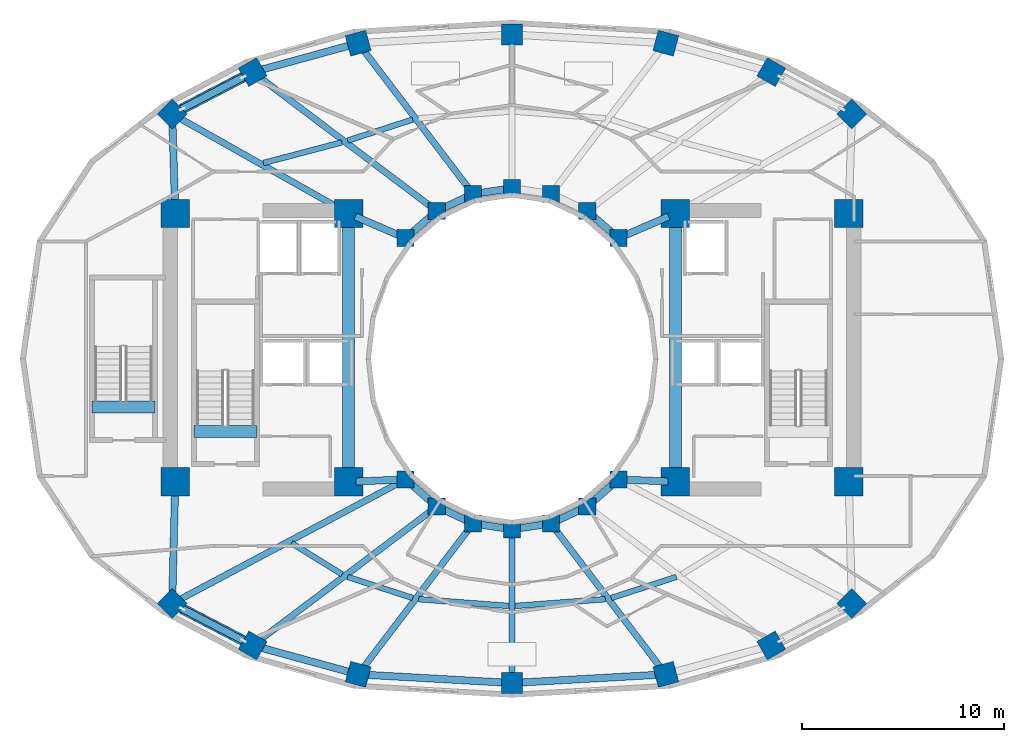
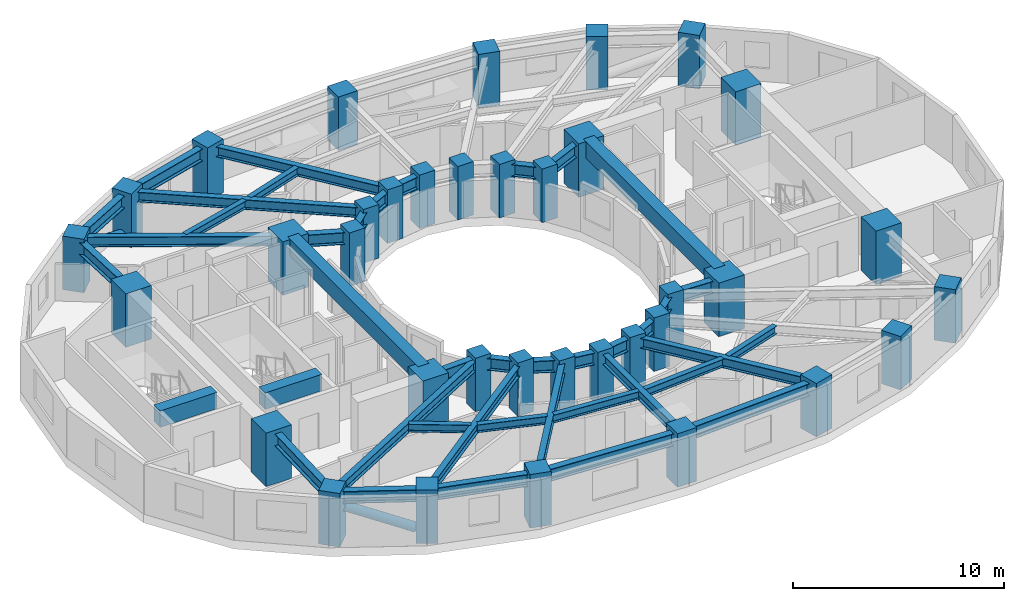
# One storey, part 1 of 9: 41 beams, 36 columns, 2 members.
"""IFC4 building model written with IfcOpenShell, lengths in metres."""

from ifc_helpers import new_model, si_unit, direction, frame, origin, origin_2d, place, context, subcontext, project, spatial, rectangle, hollow_circle, i_section, extrude, material, material_profile, profile_set, type_object, element, save


model = new_model("IFC4")

# Units and contexts
model_context = context("Model", 3, precision=1e-05, world=origin(), true_north=direction((0.0, 1.0)))
body_context = subcontext(model_context, "Body", "Model", "MODEL_VIEW")
ifc_project = project(units=[si_unit("LENGTHUNIT", "METRE"), si_unit("AREAUNIT", "SQUARE_METRE"), si_unit("VOLUMEUNIT", "CUBIC_METRE"), si_unit("PLANEANGLEUNIT", "RADIAN"), si_unit("MASSUNIT", "GRAM", prefix="KILO")], contexts=[model_context])

# Site, building, storey
site_placement = place(None, origin())
site = spatial("IfcSite", under=ifc_project, at=site_placement, CompositionType="ELEMENT")
building_placement = place(site_placement, origin())
building = spatial("IfcBuilding", under=site, at=building_placement, Name="Solvane Sanctuary Tower", CompositionType="ELEMENT")
storey_placement = place(building_placement, frame((0.0, 0.0, 122.800048828125)))
storey = spatial("IfcBuildingStorey", under=building, at=storey_placement, Name="L37", CompositionType="ELEMENT", Elevation=122.800048828125)

# Columns
ifc_material_1 = material(Name="Concrete C70/85", Category="concrete")
ifc_material_profile_1 = material_profile(ifc_material_1, rectangle(XDim=1.39990234375, YDim=1.39990234375, at=origin_2d()), Name="RC1400X1400")
ifc_profile_set_1 = profile_set([ifc_material_profile_1], Name="Concrete C70/85")
column_type_1 = type_object("IfcColumnType", Name="Column C-POD-INT RC1400X1400", PredefinedType="COLUMN", material=ifc_profile_set_1)
for number, where, z_axis, x_axis, name in (
    (1, (15.300048828125, 16.89990234375, 0.0), (0.0, 0.0, 1.0), (1.0, 0.0, 0.0), "L37 Core Corner Column CW1"),
    (2, (23.89990234375, 16.89990234375, 0.0), (0.0, 0.0, 1.0), (1.0, 0.0, 0.0), "L37 Core Corner Column CW2"),
    (3, (23.89990234375, 30.199951171875, 0.0), (0.0, 0.0, 1.0), (1.0, 0.0, 0.0), "L37 Core Corner Column CW3"),
    (4, (15.300048828125, 30.199951171875, 0.0), (0.0, 0.0, 1.0), (1.0, 0.0, 0.0), "L37 Core Corner Column CW4"),
    (5, (40.10009765625, 16.89990234375, 0.0), (0.0, 0.0, 1.0), (1.0, 0.0, 0.0), "L37 Core Corner Column CE1"),
    (6, (48.699951171875, 16.89990234375, 0.0), (0.0, 0.0, 1.0), (1.0, 0.0, 0.0), "L37 Core Corner Column CE2"),
    (7, (48.699951171875, 30.199951171875, 0.0), (0.0, 0.0, 1.0), (1.0, 0.0, 0.0), "L37 Core Corner Column CE3"),
    (8, (40.10009765625, 30.199951171875, 0.0), (0.0, 0.0, 1.0), (1.0, 0.0, 0.0), "L37 Core Corner Column CE4"),
):
    element("IfcColumn", number, at=place(storey_placement, frame(where, z_axis=z_axis, x_axis=x_axis)), inside=storey, type_object=column_type_1, Name=name, PredefinedType="COLUMN", context=body_context, shape_type="SweptSolid", body=[
        extrude(rectangle(XDim=1.39990234375, YDim=1.39990234375, at=origin_2d()), origin(), (0.0, 0.0, 1.0), 3.099853515625),
    ])
ifc_material_2 = material(Name="Concrete C60/75", Category="concrete")
ifc_material_profile_2 = material_profile(ifc_material_2, rectangle(XDim=0.85009765625, YDim=0.85009765625, at=origin_2d()), Name="RC850X850")
ifc_profile_set_2 = profile_set([ifc_material_profile_2], Name="Concrete C60/75")
column_type_2 = type_object("IfcColumnType", Name="Column C-RING-Z2 RC850X850", PredefinedType="COLUMN", material=ifc_profile_set_2)
for number, where, z_axis, x_axis, name in (
    (9, (37.27490234375, 28.982177734375, 0.0), (0.0, 0.0, 1.0), (1.0, 0.0, 0.0), "L37 Inner Light-Well Ring Column IC01"),
    (10, (35.72998046875, 30.32666015625, 0.0), (0.0, 0.0, 1.0), (1.0, 0.0, 0.0), "L37 Inner Light-Well Ring Column IC02"),
    (11, (33.930908203125, 31.171630859375, 0.0), (0.0, 0.0, 1.0), (1.0, 0.0, 0.0), "L37 Inner Light-Well Ring Column IC03"),
    (12, (32.0, 31.4599609375, 0.0), (0.0, 0.0, 1.0), (1.0, 0.0, 0.0), "L37 Inner Light-Well Ring Column IC04"),
    (13, (30.069091796875, 31.171630859375, 0.0), (0.0, 0.0, 1.0), (1.0, 0.0, 0.0), "L37 Inner Light-Well Ring Column IC05"),
    (14, (28.27001953125, 30.32666015625, 0.0), (0.0, 0.0, 1.0), (1.0, 0.0, 0.0), "L37 Inner Light-Well Ring Column IC06"),
    (15, (26.72509765625, 28.982177734375, 0.0), (0.0, 0.0, 1.0), (1.0, 0.0, 0.0), "L37 Inner Light-Well Ring Column IC07"),
    (16, (26.72509765625, 17.017822265625, 0.0), (0.0, 0.0, 1.0), (1.0, 0.0, 0.0), "L37 Inner Light-Well Ring Column IC08"),
    (17, (28.27001953125, 15.67333984375, 0.0), (0.0, 0.0, 1.0), (1.0, 0.0, 0.0), "L37 Inner Light-Well Ring Column IC09"),
    (18, (30.069091796875, 14.828369140625, 0.0), (0.0, 0.0, 1.0), (1.0, 0.0, 0.0), "L37 Inner Light-Well Ring Column IC10"),
    (19, (32.0, 14.5400390625, 0.0), (0.0, 0.0, 1.0), (1.0, 0.0, 0.0), "L37 Inner Light-Well Ring Column IC11"),
    (20, (33.930908203125, 14.828369140625, 0.0), (0.0, 0.0, 1.0), (1.0, 0.0, 0.0), "L37 Inner Light-Well Ring Column IC12"),
    (21, (35.72998046875, 15.67333984375, 0.0), (0.0, 0.0, 1.0), (1.0, 0.0, 0.0), "L37 Inner Light-Well Ring Column IC13"),
    (22, (37.27490234375, 17.017822265625, 0.0), (0.0, 0.0, 1.0), (1.0, 0.0, 0.0), "L37 Inner Light-Well Ring Column IC14"),
):
    element("IfcColumn", number, at=place(storey_placement, frame(where, z_axis=z_axis, x_axis=x_axis)), inside=storey, type_object=column_type_2, Name=name, PredefinedType="COLUMN", context=body_context, shape_type="SweptSolid", body=[
        extrude(rectangle(XDim=0.85009765625, YDim=0.85009765625, at=origin_2d()), origin(), (0.0, 0.0, 1.0), 3.099853515625),
    ])
ifc_material_profile_3 = material_profile(ifc_material_2, rectangle(XDim=1.050048828125, YDim=1.050048828125, at=origin_2d()), Name="RC1050X1050")
ifc_profile_set_3 = profile_set([ifc_material_profile_3], Name="Concrete C60/75")
column_type_3 = type_object("IfcColumnType", Name="Column C-TUBE-Z2 RC1050X1050", PredefinedType="COLUMN", material=ifc_profile_set_3)
for number, where, z_axis, x_axis, name in (
    (23, (48.85302734375, 35.13818359375, 0.0), (0.0, 0.0, 1.0), (0.707106781187, 0.707106781187, 0.0), "L37 Perimeter Tube Column TC01"),
    (24, (44.8583984375, 37.217529296875, 0.0), (0.0, 0.0, 1.0), (0.5, 0.866025403784, 0.0), "L37 Perimeter Tube Column TC02"),
    (25, (39.62939453125, 38.652099609375, 0.0), (0.0, 0.0, 1.0), (0.258819045103, 0.965925826289, 0.0), "L37 Perimeter Tube Column TC03"),
    (26, (32.0, 39.080078125, 0.0), (0.0, 0.0, 1.0), (0.0, 1.0, 0.0), "L37 Perimeter Tube Column TC04"),
    (27, (24.37060546875, 38.652099609375, 0.0), (0.0, 0.0, 1.0), (-0.258819045103, 0.965925826289, 0.0), "L37 Perimeter Tube Column TC05"),
    (28, (19.1416015625, 37.217529296875, 0.0), (0.0, 0.0, 1.0), (-0.5, 0.866025403784, 0.0), "L37 Perimeter Tube Column TC06"),
    (29, (15.14697265625, 35.13818359375, 0.0), (0.0, 0.0, 1.0), (-0.707106781187, 0.707106781187, 0.0), "L37 Perimeter Tube Column TC07"),
    (30, (15.14697265625, 10.86181640625, 0.0), (0.0, 0.0, 1.0), (-0.707106781187, -0.707106781187, 0.0), "L37 Perimeter Tube Column TC08"),
    (31, (19.1416015625, 8.782470703125, 0.0), (0.0, 0.0, 1.0), (-0.5, -0.866025403784, 0.0), "L37 Perimeter Tube Column TC09"),
    (32, (24.37060546875, 7.347900390625, 0.0), (0.0, 0.0, 1.0), (-0.258819045103, -0.965925826289, 0.0), "L37 Perimeter Tube Column TC10"),
    (33, (32.0, 6.919921875, 0.0), (0.0, 0.0, 1.0), (0.0, -1.0, 0.0), "L37 Perimeter Tube Column TC11"),
    (34, (39.62939453125, 7.347900390625, 0.0), (0.0, 0.0, 1.0), (0.258819045103, -0.965925826289, 0.0), "L37 Perimeter Tube Column TC12"),
    (35, (44.8583984375, 8.782470703125, 0.0), (0.0, 0.0, 1.0), (0.5, -0.866025403784, 0.0), "L37 Perimeter Tube Column TC13"),
    (36, (48.85302734375, 10.86181640625, 0.0), (0.0, 0.0, 1.0), (0.707106781187, -0.707106781187, 0.0), "L37 Perimeter Tube Column TC14"),
):
    element("IfcColumn", number, at=place(storey_placement, frame(where, z_axis=z_axis, x_axis=x_axis)), inside=storey, type_object=column_type_3, Name=name, PredefinedType="COLUMN", context=body_context, shape_type="SweptSolid", body=[
        extrude(rectangle(XDim=1.050048828125, YDim=1.050048828125, at=origin_2d()), origin(), (0.0, 0.0, 1.0), 3.099853515625),
    ])

# Beams
ifc_material_profile_4 = material_profile(ifc_material_1, rectangle(XDim=0.60009765625, YDim=0.949951171875, at=origin_2d()), Name="RC600X950")
ifc_profile_set_4 = profile_set([ifc_material_profile_4], Name="Concrete C70/85")
beam_type_1 = type_object("IfcBeamType", Name="Beam B-COUPLE RC600X950", PredefinedType="LINTEL", material=ifc_profile_set_4)
for number, where, z_axis, x_axis, name in (
    (37, (23.89990234375, 17.35009765625, 2.625), (0.0, 1.0, 0.0), (-1.0, 0.0, 0.0), "L37 West Core Coupling Lintel"),
    (38, (40.10009765625, 17.35009765625, 2.625), (0.0, 1.0, 0.0), (-1.0, 0.0, 0.0), "L37 East Core Coupling Lintel"),
):
    element("IfcBeam", number, at=place(storey_placement, frame(where, z_axis=z_axis, x_axis=x_axis)), inside=storey, type_object=beam_type_1, Name=name, PredefinedType="LINTEL", context=body_context, shape_type="SweptSolid", body=[
        extrude(rectangle(XDim=0.60009765625, YDim=0.949951171875, at=origin_2d()), origin(), (0.0, 0.0, 1.0), 12.39990234375),
    ])
for number, where, z_axis, x_axis, name in (
    (39, (16.22998046875, 19.399169921875, 2.625), (1.0, 0.0, 0.0), (0.0, 1.0, 0.0), "L37 ST-1 Stair Floor Landing Trimmer"),
    (40, (11.169921875, 20.59912109375, 2.625), (1.0, 0.0, 0.0), (0.0, 1.0, 0.0), "L37 ST-3 Stair Floor Landing Trimmer"),
):
    element("IfcBeam", number, at=place(storey_placement, frame(where, z_axis=z_axis, x_axis=x_axis)), inside=storey, type_object=beam_type_1, Name=name, PredefinedType="LINTEL", context=body_context, shape_type="SweptSolid", body=[
        extrude(rectangle(XDim=0.60009765625, YDim=0.949951171875, at=origin_2d()), origin(), (0.0, 0.0, 1.0), 3.1201171875),
    ])
ifc_material_3 = material(Name="Steel ASTM A992 Grade 50", Category="steel")
ifc_material_profile_5 = material_profile(ifc_material_3, i_section(OverallWidth=0.31494140625, OverallDepth=0.575927734375, WebThickness=0.01513671875, FlangeThickness=0.0244140625, FilletRadius=0.014892578125, at=origin_2d()), Name="W21X122")
ifc_profile_set_5 = profile_set([ifc_material_profile_5], Name="Steel ASTM A992 Grade 50")
beam_type_2 = type_object("IfcBeamType", Name="Beam B-RAD-Z2 W21X122", PredefinedType="BEAM", material=ifc_profile_set_5)
beam_1_placement = place(storey_placement, frame((29.8994140625, 31.394287109375, 2.58984375), z_axis=(-0.605972515369, 0.795485581653, 0.0), x_axis=(-0.795485581653, -0.605972515369, 0.0)))
element("IfcBeam", 41, at=beam_1_placement, inside=storey, type_object=beam_type_2, Name="L37 Radial Composite Floor Beam 05", PredefinedType="BEAM", context=body_context, shape_type="SweptSolid", body=[
    extrude(i_section(OverallWidth=0.31494140625, OverallDepth=0.575927734375, WebThickness=0.01513671875, FlangeThickness=0.0244140625, FilletRadius=0.014892578125, at=origin_2d()), origin(), (0.0, 0.0, 1.0), 8.84375),
])
beam_2_placement = place(storey_placement, frame((28.04638671875, 30.495361328125, 2.58984375), z_axis=(-0.798116040134, 0.602503764703, 0.0), x_axis=(-0.602503764703, -0.798116040134, 0.0)))
element("IfcBeam", 42, at=beam_2_placement, inside=storey, type_object=beam_type_2, Name="L37 Radial Composite Floor Beam 06", PredefinedType="BEAM", context=body_context, shape_type="SweptSolid", body=[
    extrude(i_section(OverallWidth=0.31494140625, OverallDepth=0.575927734375, WebThickness=0.01513671875, FlangeThickness=0.0244140625, FilletRadius=0.014892578125, at=origin_2d()), origin(), (0.0, 0.0, 1.0), 10.876953125),
])
beam_3_placement = place(storey_placement, frame((23.58642578125, 30.376953125, 2.58984375), z_axis=(-0.870960247151, 0.491353485673, 0.0), x_axis=(-0.491353485673, -0.870960247151, 0.0)))
element("IfcBeam", 43, at=beam_3_placement, inside=storey, type_object=beam_type_2, Name="L37 Radial Composite Floor Beam 07", PredefinedType="BEAM", context=body_context, shape_type="SweptSolid", body=[
    extrude(i_section(OverallWidth=0.31494140625, OverallDepth=0.575927734375, WebThickness=0.01513671875, FlangeThickness=0.0244140625, FilletRadius=0.014892578125, at=origin_2d()), origin(), (0.0, 0.0, 1.0), 9.409912109375),
])
beam_4_placement = place(storey_placement, frame((26.477783203125, 16.886474609375, 2.58984375), z_axis=(-0.882951984843, -0.469463302572, 0.0), x_axis=(0.469463302572, -0.882951984843, 0.0)))
element("IfcBeam", 44, at=beam_4_placement, inside=storey, type_object=beam_type_2, Name="L37 Radial Composite Floor Beam 08", PredefinedType="BEAM", context=body_context, shape_type="SweptSolid", body=[
    extrude(i_section(OverallWidth=0.31494140625, OverallDepth=0.575927734375, WebThickness=0.01513671875, FlangeThickness=0.0244140625, FilletRadius=0.014892578125, at=origin_2d()), origin(), (0.0, 0.0, 1.0), 12.552734375),
])
beam_5_placement = place(storey_placement, frame((28.04638671875, 15.504638671875, 2.58984375), z_axis=(-0.798116040134, -0.602503764703, 0.0), x_axis=(0.602503764703, -0.798116040134, 0.0)))
element("IfcBeam", 45, at=beam_5_placement, inside=storey, type_object=beam_type_2, Name="L37 Radial Composite Floor Beam 09", PredefinedType="BEAM", context=body_context, shape_type="SweptSolid", body=[
    extrude(i_section(OverallWidth=0.31494140625, OverallDepth=0.575927734375, WebThickness=0.01513671875, FlangeThickness=0.0244140625, FilletRadius=0.014892578125, at=origin_2d()), origin(), (0.0, 0.0, 1.0), 10.876953125),
])
beam_6_placement = place(storey_placement, frame((29.8994140625, 14.605712890625, 2.58984375), z_axis=(-0.605972515369, -0.795485581653, 0.0), x_axis=(0.795485581653, -0.605972515369, 0.0)))
element("IfcBeam", 46, at=beam_6_placement, inside=storey, type_object=beam_type_2, Name="L37 Radial Composite Floor Beam 10", PredefinedType="BEAM", context=body_context, shape_type="SweptSolid", body=[
    extrude(i_section(OverallWidth=0.31494140625, OverallDepth=0.575927734375, WebThickness=0.01513671875, FlangeThickness=0.0244140625, FilletRadius=0.014892578125, at=origin_2d()), origin(), (0.0, 0.0, 1.0), 8.84375),
])
beam_7_placement = place(storey_placement, frame((32.0, 14.260009765625, 2.58984375), z_axis=(0.0, -1.0, 0.0), x_axis=(1.0, 0.0, 0.0)))
element("IfcBeam", 47, at=beam_7_placement, inside=storey, type_object=beam_type_2, Name="L37 Radial Composite Floor Beam 11", PredefinedType="BEAM", context=body_context, shape_type="SweptSolid", body=[
    extrude(i_section(OverallWidth=0.31494140625, OverallDepth=0.575927734375, WebThickness=0.01513671875, FlangeThickness=0.0244140625, FilletRadius=0.014892578125, at=origin_2d()), origin(), (0.0, 0.0, 1.0), 7.06005859375),
])
beam_8_placement = place(storey_placement, frame((34.1005859375, 14.605712890625, 2.58984375), z_axis=(0.605972515369, -0.795485581653, 0.0), x_axis=(0.795485581653, 0.605972515369, 0.0)))
element("IfcBeam", 48, at=beam_8_placement, inside=storey, type_object=beam_type_2, Name="L37 Radial Composite Floor Beam 12", PredefinedType="BEAM", context=body_context, shape_type="SweptSolid", body=[
    extrude(i_section(OverallWidth=0.31494140625, OverallDepth=0.575927734375, WebThickness=0.01513671875, FlangeThickness=0.0244140625, FilletRadius=0.014892578125, at=origin_2d()), origin(), (0.0, 0.0, 1.0), 8.84375),
])
ifc_material_profile_6 = material_profile(ifc_material_3, i_section(OverallWidth=0.35498046875, OverallDepth=0.695068359375, WebThickness=0.015380859375, FlangeThickness=0.02490234375, FilletRadius=0.01806640625, at=origin_2d()), Name="W27X146")
ifc_profile_set_6 = profile_set([ifc_material_profile_6], Name="Steel ASTM A992 Grade 50")
beam_type_3 = type_object("IfcBeamType", Name="Beam B-RING-IN1 W27X146", PredefinedType="BEAM", material=ifc_profile_set_6)
beam_9_placement = place(storey_placement, frame((24.230712890625, 30.0576171875, 2.530517578125), z_axis=(0.918261456479, -0.3959746173, 0.0), x_axis=(0.3959746173, 0.918261456479, 0.0)))
element("IfcBeam", 49, at=beam_9_placement, inside=storey, type_object=beam_type_3, Name="L37 Inner Light-Well Ring Beam CW3-IC07", PredefinedType="BEAM", context=body_context, shape_type="SweptSolid", body=[
    extrude(i_section(OverallWidth=0.35498046875, OverallDepth=0.695068359375, WebThickness=0.015380859375, FlangeThickness=0.02490234375, FilletRadius=0.01806640625, at=origin_2d()), origin(), (0.0, 0.0, 1.0), 2.3212890625),
])
beam_10_placement = place(storey_placement, frame((27.02294921875, 29.241455078125, 2.530517578125), z_axis=(0.754317177099, 0.656510164684, 0.0), x_axis=(-0.656510164684, 0.754317177099, 0.0)))
element("IfcBeam", 50, at=beam_10_placement, inside=storey, type_object=beam_type_3, Name="L37 Inner Light-Well Ring Beam IC07-IC06", PredefinedType="BEAM", context=body_context, shape_type="SweptSolid", body=[
    extrude(i_section(OverallWidth=0.35498046875, OverallDepth=0.695068359375, WebThickness=0.015380859375, FlangeThickness=0.02490234375, FilletRadius=0.01806640625, at=origin_2d()), origin(), (0.0, 0.0, 1.0), 1.258056640625),
])
beam_11_placement = place(storey_placement, frame((28.62744140625, 30.494384765625, 2.530517578125), z_axis=(0.905044882818, 0.425316070804, 0.0), x_axis=(-0.425316070804, 0.905044882818, 0.0)))
element("IfcBeam", 51, at=beam_11_placement, inside=storey, type_object=beam_type_3, Name="L37 Inner Light-Well Ring Beam IC06-IC05", PredefinedType="BEAM", context=body_context, shape_type="SweptSolid", body=[
    extrude(i_section(OverallWidth=0.35498046875, OverallDepth=0.695068359375, WebThickness=0.015380859375, FlangeThickness=0.02490234375, FilletRadius=0.01806640625, at=origin_2d()), origin(), (0.0, 0.0, 1.0), 1.197998046875),
])
beam_12_placement = place(storey_placement, frame((30.4599609375, 31.22998046875, 2.530517578125), z_axis=(0.989034751611, 0.147682971619, 0.0), x_axis=(-0.147682971619, 0.989034751611, 0.0)))
element("IfcBeam", 52, at=beam_12_placement, inside=storey, type_object=beam_type_3, Name="L37 Inner Light-Well Ring Beam IC05-IC04", PredefinedType="BEAM", context=body_context, shape_type="SweptSolid", body=[
    extrude(i_section(OverallWidth=0.35498046875, OverallDepth=0.695068359375, WebThickness=0.015380859375, FlangeThickness=0.02490234375, FilletRadius=0.01806640625, at=origin_2d()), origin(), (0.0, 0.0, 1.0), 1.162109375),
])
beam_13_placement = place(storey_placement, frame((36.028076171875, 30.0673828125, 2.530517578125), z_axis=(0.754317177099, -0.656510164684, 0.0), x_axis=(0.656510164684, 0.754317177099, 0.0)))
element("IfcBeam", 53, at=beam_13_placement, inside=storey, type_object=beam_type_3, Name="L37 Inner Light-Well Ring Beam IC02-IC01", PredefinedType="BEAM", context=body_context, shape_type="SweptSolid", body=[
    extrude(i_section(OverallWidth=0.35498046875, OverallDepth=0.695068359375, WebThickness=0.015380859375, FlangeThickness=0.02490234375, FilletRadius=0.01806640625, at=origin_2d()), origin(), (0.0, 0.0, 1.0), 1.258056640625),
])
beam_14_placement = place(storey_placement, frame((37.6376953125, 29.138427734375, 2.530517578125), z_axis=(0.918261456479, 0.3959746173, 0.0), x_axis=(-0.3959746173, 0.918261456479, 0.0)))
element("IfcBeam", 54, at=beam_14_placement, inside=storey, type_object=beam_type_3, Name="L37 Inner Light-Well Ring Beam IC01-CE4", PredefinedType="BEAM", context=body_context, shape_type="SweptSolid", body=[
    extrude(i_section(OverallWidth=0.35498046875, OverallDepth=0.695068359375, WebThickness=0.015380859375, FlangeThickness=0.02490234375, FilletRadius=0.01806640625, at=origin_2d()), origin(), (0.0, 0.0, 1.0), 2.3212890625),
])
beam_15_placement = place(storey_placement, frame((24.259765625, 16.9150390625, 2.530517578125), z_axis=(0.999130007788, 0.041704047018, 0.0), x_axis=(-0.041704047018, 0.999130007788, 0.0)))
element("IfcBeam", 55, at=beam_15_placement, inside=storey, type_object=beam_type_3, Name="L37 Inner Light-Well Ring Beam CW2-IC08", PredefinedType="BEAM", context=body_context, shape_type="SweptSolid", body=[
    extrude(i_section(OverallWidth=0.35498046875, OverallDepth=0.695068359375, WebThickness=0.015380859375, FlangeThickness=0.02490234375, FilletRadius=0.01806640625, at=origin_2d()), origin(), (0.0, 0.0, 1.0), 2.072265625),
])
beam_16_placement = place(storey_placement, frame((27.02294921875, 16.758544921875, 2.530517578125), z_axis=(0.754317177099, -0.656510164684, 0.0), x_axis=(0.656510164684, 0.754317177099, 0.0)))
element("IfcBeam", 56, at=beam_16_placement, inside=storey, type_object=beam_type_3, Name="L37 Inner Light-Well Ring Beam IC08-IC09", PredefinedType="BEAM", context=body_context, shape_type="SweptSolid", body=[
    extrude(i_section(OverallWidth=0.35498046875, OverallDepth=0.695068359375, WebThickness=0.015380859375, FlangeThickness=0.02490234375, FilletRadius=0.01806640625, at=origin_2d()), origin(), (0.0, 0.0, 1.0), 1.258056640625),
])
beam_17_placement = place(storey_placement, frame((28.62744140625, 15.505615234375, 2.530517578125), z_axis=(0.905044882818, -0.425316070804, 0.0), x_axis=(0.425316070804, 0.905044882818, 0.0)))
element("IfcBeam", 57, at=beam_17_placement, inside=storey, type_object=beam_type_3, Name="L37 Inner Light-Well Ring Beam IC09-IC10", PredefinedType="BEAM", context=body_context, shape_type="SweptSolid", body=[
    extrude(i_section(OverallWidth=0.35498046875, OverallDepth=0.695068359375, WebThickness=0.015380859375, FlangeThickness=0.02490234375, FilletRadius=0.01806640625, at=origin_2d()), origin(), (0.0, 0.0, 1.0), 1.197998046875),
])
for number, where, z_axis, x_axis, name in (
    (58, (30.4599609375, 14.77001953125, 2.530517578125), (0.989034751611, -0.147682971619, 0.0), (0.147682971619, 0.989034751611, 0.0), "L37 Inner Light-Well Ring Beam IC10-IC11"),
    (59, (32.390625, 14.598388671875, 2.530517578125), (0.989034751611, 0.147682971619, 0.0), (-0.147682971619, 0.989034751611, 0.0), "L37 Inner Light-Well Ring Beam IC11-IC12"),
):
    element("IfcBeam", number, at=place(storey_placement, frame(where, z_axis=z_axis, x_axis=x_axis)), inside=storey, type_object=beam_type_3, Name=name, PredefinedType="BEAM", context=body_context, shape_type="SweptSolid", body=[
        extrude(i_section(OverallWidth=0.35498046875, OverallDepth=0.695068359375, WebThickness=0.015380859375, FlangeThickness=0.02490234375, FilletRadius=0.01806640625, at=origin_2d()), origin(), (0.0, 0.0, 1.0), 1.162109375),
    ])
beam_18_placement = place(storey_placement, frame((34.288330078125, 14.99609375, 2.530517578125), z_axis=(0.905044882818, 0.425316070804, 0.0), x_axis=(-0.425316070804, 0.905044882818, 0.0)))
element("IfcBeam", 60, at=beam_18_placement, inside=storey, type_object=beam_type_3, Name="L37 Inner Light-Well Ring Beam IC12-IC13", PredefinedType="BEAM", context=body_context, shape_type="SweptSolid", body=[
    extrude(i_section(OverallWidth=0.35498046875, OverallDepth=0.695068359375, WebThickness=0.015380859375, FlangeThickness=0.02490234375, FilletRadius=0.01806640625, at=origin_2d()), origin(), (0.0, 0.0, 1.0), 1.197998046875),
])
beam_19_placement = place(storey_placement, frame((36.028076171875, 15.9326171875, 2.530517578125), z_axis=(0.754317177099, 0.656510164684, 0.0), x_axis=(-0.656510164684, 0.754317177099, 0.0)))
element("IfcBeam", 61, at=beam_19_placement, inside=storey, type_object=beam_type_3, Name="L37 Inner Light-Well Ring Beam IC13-IC14", PredefinedType="BEAM", context=body_context, shape_type="SweptSolid", body=[
    extrude(i_section(OverallWidth=0.35498046875, OverallDepth=0.695068359375, WebThickness=0.015380859375, FlangeThickness=0.02490234375, FilletRadius=0.01806640625, at=origin_2d()), origin(), (0.0, 0.0, 1.0), 1.258056640625),
])
beam_20_placement = place(storey_placement, frame((37.669677734375, 17.00146484375, 2.530517578125), z_axis=(0.999130007788, -0.041704047018, 0.0), x_axis=(0.041704047018, 0.999130007788, 0.0)))
element("IfcBeam", 62, at=beam_20_placement, inside=storey, type_object=beam_type_3, Name="L37 Inner Light-Well Ring Beam IC14-CE1", PredefinedType="BEAM", context=body_context, shape_type="SweptSolid", body=[
    extrude(i_section(OverallWidth=0.35498046875, OverallDepth=0.695068359375, WebThickness=0.015380859375, FlangeThickness=0.02490234375, FilletRadius=0.01806640625, at=origin_2d()), origin(), (0.0, 0.0, 1.0), 2.072265625),
])
ifc_material_profile_7 = material_profile(ifc_material_3, i_section(OverallWidth=0.280029296875, OverallDepth=0.462890625, WebThickness=0.0107421875, FlangeThickness=0.017333984375, FilletRadius=0.013916015625, at=origin_2d()), Name="W18X76")
ifc_profile_set_7 = profile_set([ifc_material_profile_7], Name="Steel ASTM A992 Grade 50")
beam_type_4 = type_object("IfcBeamType", Name="Beam B-SEC-JOIST W18X76", PredefinedType="JOIST", material=ifc_profile_set_7)
beam_21_placement = place(storey_placement, frame((19.6708984375, 32.7080078125, 2.646484375), z_axis=(0.966943832831, 0.2549894589, 0.0), x_axis=(-0.2549894589, 0.966943832831, 0.0)))
element("IfcBeam", 63, at=beam_21_placement, inside=storey, type_object=beam_type_4, Name="L37 Secondary Circumferential Joist 07-06", PredefinedType="JOIST", context=body_context, shape_type="SweptSolid", body=[
    extrude(i_section(OverallWidth=0.280029296875, OverallDepth=0.462890625, WebThickness=0.0107421875, FlangeThickness=0.017333984375, FilletRadius=0.013916015625, at=origin_2d()), origin(), (0.0, 0.0, 1.0), 4.020263671875),
])
beam_22_placement = place(storey_placement, frame((23.850830078125, 33.819091796875, 2.646484375), z_axis=(0.951216534175, 0.308524075416, 0.0), x_axis=(-0.308524075416, 0.951216534175, 0.0)))
element("IfcBeam", 64, at=beam_22_placement, inside=storey, type_object=beam_type_4, Name="L37 Secondary Circumferential Joist 06-05", PredefinedType="JOIST", context=body_context, shape_type="SweptSolid", body=[
    extrude(i_section(OverallWidth=0.280029296875, OverallDepth=0.462890625, WebThickness=0.0107421875, FlangeThickness=0.017333984375, FilletRadius=0.013916015625, at=origin_2d()), origin(), (0.0, 0.0, 1.0), 3.38916015625),
])
beam_23_placement = place(storey_placement, frame((21.065673828125, 13.859619140625, 2.646484375), z_axis=(0.85065981691, -0.525716535687, 0.0), x_axis=(0.525716535687, 0.85065981691, 0.0)))
element("IfcBeam", 65, at=beam_23_placement, inside=storey, type_object=beam_type_4, Name="L37 Secondary Circumferential Joist 08-09", PredefinedType="JOIST", context=body_context, shape_type="SweptSolid", body=[
    extrude(i_section(OverallWidth=0.280029296875, OverallDepth=0.462890625, WebThickness=0.0107421875, FlangeThickness=0.017333984375, FilletRadius=0.013916015625, at=origin_2d()), origin(), (0.0, 0.0, 1.0), 2.951171875),
])
beam_24_placement = place(storey_placement, frame((23.850830078125, 12.180908203125, 2.646484375), z_axis=(0.951216534175, -0.308524075416, 0.0), x_axis=(0.308524075416, 0.951216534175, 0.0)))
element("IfcBeam", 66, at=beam_24_placement, inside=storey, type_object=beam_type_4, Name="L37 Secondary Circumferential Joist 09-10", PredefinedType="JOIST", context=body_context, shape_type="SweptSolid", body=[
    extrude(i_section(OverallWidth=0.280029296875, OverallDepth=0.462890625, WebThickness=0.0107421875, FlangeThickness=0.017333984375, FilletRadius=0.013916015625, at=origin_2d()), origin(), (0.0, 0.0, 1.0), 3.38916015625),
])
for number, where, z_axis, x_axis, name in (
    (67, (27.3720703125, 11.07666015625, 2.646484375), (0.997207316227, -0.074683120339, 0.0), (0.074683120339, 0.997207316227, 0.0), "L37 Secondary Circumferential Joist 10-11"),
    (68, (32.152099609375, 10.741455078125, 2.646484375), (0.997207316227, 0.074683120339, 0.0), (-0.074683120339, 0.997207316227, 0.0), "L37 Secondary Circumferential Joist 11-12"),
):
    element("IfcBeam", number, at=place(storey_placement, frame(where, z_axis=z_axis, x_axis=x_axis)), inside=storey, type_object=beam_type_4, Name=name, PredefinedType="JOIST", context=body_context, shape_type="SweptSolid", body=[
        extrude(i_section(OverallWidth=0.280029296875, OverallDepth=0.462890625, WebThickness=0.0107421875, FlangeThickness=0.017333984375, FilletRadius=0.013916015625, at=origin_2d()), origin(), (0.0, 0.0, 1.0), 4.48828125),
    ])
beam_25_placement = place(storey_placement, frame((36.92529296875, 11.13525390625, 2.646484375), z_axis=(0.951216534175, 0.308524075416, 0.0), x_axis=(-0.308524075416, 0.951216534175, 0.0)))
element("IfcBeam", 69, at=beam_25_placement, inside=storey, type_object=beam_type_4, Name="L37 Secondary Circumferential Joist 12-13", PredefinedType="JOIST", context=body_context, shape_type="SweptSolid", body=[
    extrude(i_section(OverallWidth=0.280029296875, OverallDepth=0.462890625, WebThickness=0.0107421875, FlangeThickness=0.017333984375, FilletRadius=0.013916015625, at=origin_2d()), origin(), (0.0, 0.0, 1.0), 3.38916015625),
])
ifc_material_profile_8 = material_profile(ifc_material_3, i_section(OverallWidth=0.35791015625, OverallDepth=0.7060546875, WebThickness=0.018310546875, FlangeThickness=0.0302734375, FilletRadius=0.01806640625, at=origin_2d()), Name="W27X178")
ifc_profile_set_8 = profile_set([ifc_material_profile_8], Name="Steel ASTM A992 Grade 50")
beam_type_5 = type_object("IfcBeamType", Name="Beam B-SPAND-Z2 W27X178", PredefinedType="SPANDREL", material=ifc_profile_set_8)
beam_26_placement = place(storey_placement, frame((15.291259765625, 30.47998046875, 2.52490234375), z_axis=(-0.03093371985, 0.999521437977, 0.0), x_axis=(-0.999521437977, -0.03093371985, 0.0)))
element("IfcBeam", 70, at=beam_26_placement, inside=storey, type_object=beam_type_5, Name="L37 Perimeter Spandrel Beam CW4-TC07", PredefinedType="SPANDREL", context=body_context, shape_type="SweptSolid", body=[
    extrude(i_section(OverallWidth=0.35791015625, OverallDepth=0.7060546875, WebThickness=0.018310546875, FlangeThickness=0.0302734375, FilletRadius=0.01806640625, at=origin_2d()), origin(), (0.0, 0.0, 1.0), 4.38037109375),
])
beam_27_placement = place(storey_placement, frame((15.3955078125, 35.267333984375, 2.52490234375), z_axis=(0.887014995188, 0.461740618002, 0.0), x_axis=(-0.461740618002, 0.887014995188, 0.0)))
element("IfcBeam", 71, at=beam_27_placement, inside=storey, type_object=beam_type_5, Name="L37 Perimeter Spandrel Beam TC07-TC06", PredefinedType="SPANDREL", context=body_context, shape_type="SweptSolid", body=[
    extrude(i_section(OverallWidth=0.35791015625, OverallDepth=0.7060546875, WebThickness=0.018310546875, FlangeThickness=0.0302734375, FilletRadius=0.01806640625, at=origin_2d()), origin(), (0.0, 0.0, 1.0), 3.943359375),
])
beam_28_placement = place(storey_placement, frame((19.41162109375, 37.29150390625, 2.52490234375), z_axis=(0.964367605241, 0.26456591232, 0.0), x_axis=(-0.26456591232, 0.964367605241, 0.0)))
element("IfcBeam", 72, at=beam_28_placement, inside=storey, type_object=beam_type_5, Name="L37 Perimeter Spandrel Beam TC06-TC05", PredefinedType="SPANDREL", context=body_context, shape_type="SweptSolid", body=[
    extrude(i_section(OverallWidth=0.35791015625, OverallDepth=0.7060546875, WebThickness=0.018310546875, FlangeThickness=0.0302734375, FilletRadius=0.01806640625, at=origin_2d()), origin(), (0.0, 0.0, 1.0), 4.8623046875),
])
beam_29_placement = place(storey_placement, frame((15.29296875, 16.6201171875, 2.52490234375), z_axis=(-0.025349487585, -0.999678650107, 0.0), x_axis=(0.999678650107, -0.025349487585, 0.0)))
element("IfcBeam", 73, at=beam_29_placement, inside=storey, type_object=beam_type_5, Name="L37 Perimeter Spandrel Beam CW1-TC08", PredefinedType="SPANDREL", context=body_context, shape_type="SweptSolid", body=[
    extrude(i_section(OverallWidth=0.35791015625, OverallDepth=0.7060546875, WebThickness=0.018310546875, FlangeThickness=0.0302734375, FilletRadius=0.01806640625, at=origin_2d()), origin(), (0.0, 0.0, 1.0), 5.47998046875),
])
beam_30_placement = place(storey_placement, frame((15.3955078125, 10.732666015625, 2.52490234375), z_axis=(0.887014995188, -0.461740618002, 0.0), x_axis=(0.461740618002, 0.887014995188, 0.0)))
element("IfcBeam", 74, at=beam_30_placement, inside=storey, type_object=beam_type_5, Name="L37 Perimeter Spandrel Beam TC08-TC09", PredefinedType="SPANDREL", context=body_context, shape_type="SweptSolid", body=[
    extrude(i_section(OverallWidth=0.35791015625, OverallDepth=0.7060546875, WebThickness=0.018310546875, FlangeThickness=0.0302734375, FilletRadius=0.01806640625, at=origin_2d()), origin(), (0.0, 0.0, 1.0), 3.943359375),
])
beam_31_placement = place(storey_placement, frame((19.41162109375, 8.70849609375, 2.52490234375), z_axis=(0.964367605241, -0.26456591232, 0.0), x_axis=(0.26456591232, 0.964367605241, 0.0)))
element("IfcBeam", 75, at=beam_31_placement, inside=storey, type_object=beam_type_5, Name="L37 Perimeter Spandrel Beam TC09-TC10", PredefinedType="SPANDREL", context=body_context, shape_type="SweptSolid", body=[
    extrude(i_section(OverallWidth=0.35791015625, OverallDepth=0.7060546875, WebThickness=0.018310546875, FlangeThickness=0.0302734375, FilletRadius=0.01806640625, at=origin_2d()), origin(), (0.0, 0.0, 1.0), 4.8623046875),
])
for number, where, z_axis, x_axis, name in (
    (76, (24.650146484375, 7.332275390625, 2.52490234375), (0.998431364179, -0.055989383129, 0.0), (0.055989383129, 0.998431364179, 0.0), "L37 Perimeter Spandrel Beam TC10-TC11"),
    (77, (32.279541015625, 6.935791015625, 2.52490234375), (0.998431364179, 0.055989383129, 0.0), (-0.055989383129, 0.998431364179, 0.0), "L37 Perimeter Spandrel Beam TC11-TC12"),
):
    element("IfcBeam", number, at=place(storey_placement, frame(where, z_axis=z_axis, x_axis=x_axis)), inside=storey, type_object=beam_type_5, Name=name, PredefinedType="SPANDREL", context=body_context, shape_type="SweptSolid", body=[
        extrude(i_section(OverallWidth=0.35791015625, OverallDepth=0.7060546875, WebThickness=0.018310546875, FlangeThickness=0.0302734375, FilletRadius=0.01806640625, at=origin_2d()), origin(), (0.0, 0.0, 1.0), 7.081298828125),
    ])

# Members
ifc_material_profile_9 = material_profile(ifc_material_3, hollow_circle(Radius=0.25390625, WallThickness=0.01611328125, at=origin_2d()), Name="CHS508X16")
ifc_profile_set_9 = profile_set([ifc_material_profile_9], Name="Steel ASTM A992 Grade 50")
member_type = type_object("IfcMemberType", Name="Member M-TUBE-Z2 CHS508X16", PredefinedType="BRACE", material=ifc_profile_set_9)
for number, where, z_axis, x_axis, name in (
    (78, (18.667236328125, 36.970703125, 0.5927734375), (-0.824140553465, -0.429072126665, 0.369715374651), (0.461792399626, -0.886988038052, 0.0), "L37 Perimeter Braced-Tube Diagonal NW"),
    (79, (18.667236328125, 9.029296875, 0.5927734375), (-0.824140553465, 0.429072126665, 0.369715374651), (-0.461792399626, -0.886988038052, 0.0), "L37 Perimeter Braced-Tube Diagonal SW"),
):
    element("IfcMember", number, at=place(storey_placement, frame(where, z_axis=z_axis, x_axis=x_axis)), inside=storey, type_object=member_type, Name=name, PredefinedType="BRACE", context=body_context, shape_type="SweptSolid", body=[
        extrude(hollow_circle(Radius=0.25390625, WallThickness=0.01611328125, at=origin_2d()), origin(), (0.0, 0.0, 1.0), 3.6689453125),
    ])

save(model, "model.ifc")
